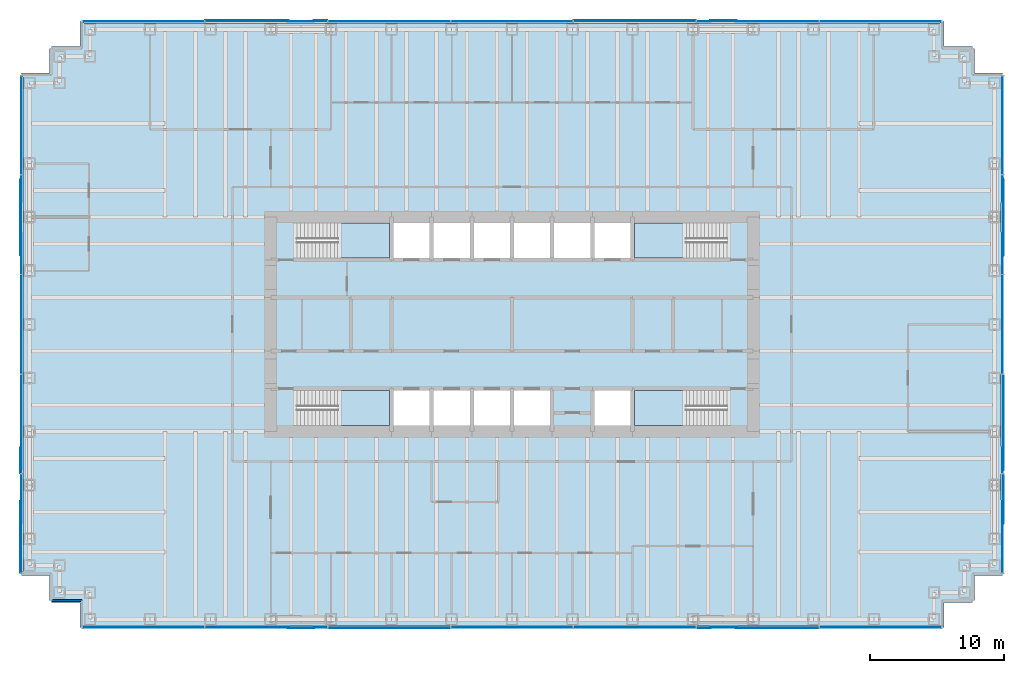
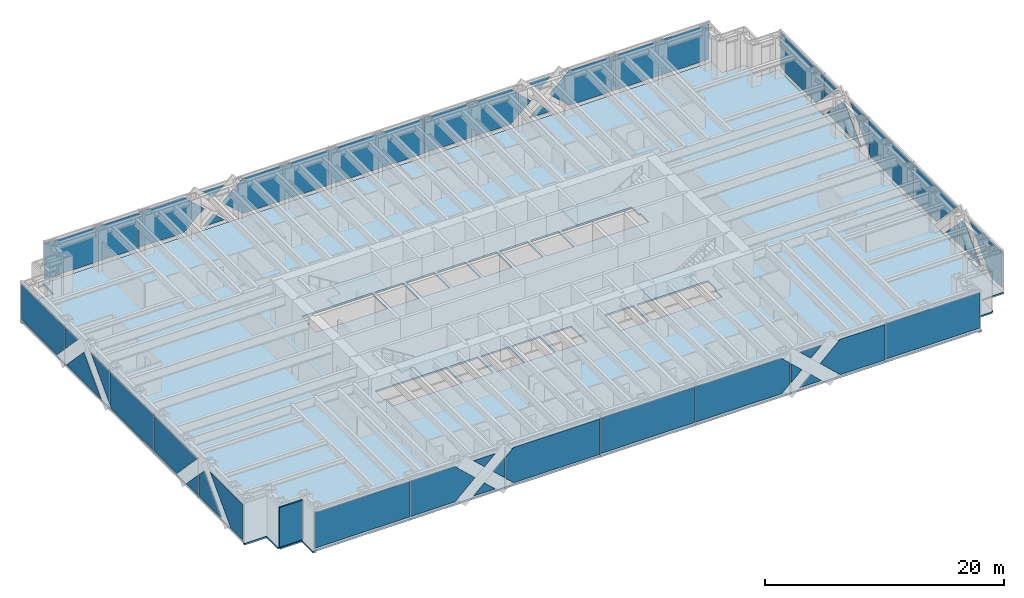
# One storey, part 10 of 15: 44 plates, 5 slabs, 1 wall, 8 elements without a shape of their own.
"""IFC4 building model written with IfcOpenShell, lengths in metres."""

from ifc_helpers import new_model, si_unit, direction, frame, frame_2d, origin, origin_2d, place, context, subcontext, project, spatial, polyline, rectangle, outline, extrude, material, layer, layer_set, type_object, element, aggregate, save


model = new_model("IFC4")

# Units and contexts
model_context = context("Model", 3, precision=1e-05, world=origin(), true_north=direction((0.0, 1.0)))
body_context = subcontext(model_context, "Body", "Model", "MODEL_VIEW")
ifc_project = project(units=[si_unit("LENGTHUNIT", "METRE"), si_unit("AREAUNIT", "SQUARE_METRE"), si_unit("VOLUMEUNIT", "CUBIC_METRE"), si_unit("PLANEANGLEUNIT", "RADIAN"), si_unit("MASSUNIT", "GRAM", prefix="KILO")], contexts=[model_context])

# Site, building, storey
site_placement = place(None, origin())
site = spatial("IfcSite", under=ifc_project, at=site_placement, CompositionType="ELEMENT")
building_placement = place(site_placement, origin())
building = spatial("IfcBuilding", under=site, at=building_placement, Name="Rheinbord Bourse Tower", CompositionType="ELEMENT")
storey_placement = place(building_placement, frame((0.0, 0.0, 108.89990234375)))
storey = spatial("IfcBuildingStorey", under=building, at=storey_placement, Name="L23", CompositionType="ELEMENT", Elevation=108.89990234375)

# Slab
ifc_material_1 = material(Name="Concrete C30/37", Category="concrete")
ifc_layer_1 = layer(ifc_material_1, 0.159912109375)
ifc_layer_set_1 = layer_set([ifc_layer_1], Name="COMPOSITE FLOOR SLAB 160")
slab_type_1 = type_object("IfcSlabType", Name="COMPOSITE FLOOR SLAB 160", PredefinedType="FLOOR", material=ifc_layer_set_1)
slab_1_placement = place(storey_placement, frame((0.0, 0.0, -0.159912109375)))
element("IfcSlab", 1, at=slab_1_placement, inside=storey, type_object=slab_type_1, Name="Floor slab L23", PredefinedType="FLOOR", context=body_context, shape_type="SweptSolid", body=[
    extrude(outline(polyline([(1.64990234375, 3.39990234375), (1.5, 3.39990234375), (1.5, 5.25), (-0.60009765625, 5.25), (-0.60009765625, 5.550048828125), (-0.5, 5.550048828125), (-0.5, 42.449951171875), (-0.60009765625, 42.449951171875), (-0.60009765625, 42.75), (1.5, 42.75), (1.5, 44.60009765625), (1.64990234375, 44.60009765625), (1.64990234375, 44.75), (3.75, 44.75), (3.75, 46.60009765625), (4.050048828125, 46.60009765625), (4.050048828125, 46.5), (67.949951171875, 46.5), (67.949951171875, 46.60009765625), (68.25, 46.60009765625), (68.25, 44.75), (70.35009765625, 44.75), (70.35009765625, 44.60009765625), (70.5, 44.60009765625), (70.5, 42.75), (72.60009765625, 42.75), (72.60009765625, 42.449951171875), (72.5, 42.449951171875), (72.5, 5.550048828125), (72.60009765625, 5.550048828125), (72.60009765625, 5.25), (70.5, 5.25), (70.5, 3.39990234375), (70.35009765625, 3.39990234375), (70.35009765625, 3.25), (68.25, 3.25), (68.25, 1.39990234375), (67.949951171875, 1.39990234375), (67.949951171875, 1.5), (4.050048828125, 1.5), (4.050048828125, 1.39990234375), (3.75, 1.39990234375), (3.75, 3.25), (1.64990234375, 3.25), (1.64990234375, 3.39990234375)]), holes=[polyline([(19.949951171875, 19.050048828125), (26.85009765625, 19.050048828125), (26.85009765625, 16.449951171875), (20.10009765625, 16.449951171875), (20.10009765625, 17.64990234375), (19.949951171875, 17.64990234375), (19.949951171875, 19.050048828125)]), polyline([(26.85009765625, 31.550048828125), (26.85009765625, 28.949951171875), (19.949951171875, 28.949951171875), (19.949951171875, 30.35009765625), (20.10009765625, 30.35009765625), (20.10009765625, 31.550048828125), (26.85009765625, 31.550048828125)]), polyline([(45.14990234375, 16.449951171875), (45.14990234375, 19.050048828125), (52.050048828125, 19.050048828125), (52.050048828125, 17.64990234375), (51.89990234375, 17.64990234375), (51.89990234375, 16.449951171875), (45.14990234375, 16.449951171875)]), polyline([(52.050048828125, 28.949951171875), (45.14990234375, 28.949951171875), (45.14990234375, 31.550048828125), (51.89990234375, 31.550048828125), (51.89990234375, 30.35009765625), (52.050048828125, 30.35009765625), (52.050048828125, 28.949951171875)]), polyline([(27.14990234375, 16.449951171875), (27.14990234375, 19.050048828125), (29.85009765625, 19.050048828125), (29.85009765625, 16.449951171875), (27.14990234375, 16.449951171875)]), polyline([(27.14990234375, 28.949951171875), (27.14990234375, 31.550048828125), (29.85009765625, 31.550048828125), (29.85009765625, 28.949951171875), (27.14990234375, 28.949951171875)]), polyline([(30.14990234375, 16.449951171875), (30.14990234375, 19.050048828125), (32.85009765625, 19.050048828125), (32.85009765625, 16.449951171875), (30.14990234375, 16.449951171875)]), polyline([(30.14990234375, 28.949951171875), (30.14990234375, 31.550048828125), (32.85009765625, 31.550048828125), (32.85009765625, 28.949951171875), (30.14990234375, 28.949951171875)]), polyline([(33.14990234375, 16.449951171875), (33.14990234375, 19.050048828125), (35.85009765625, 19.050048828125), (35.85009765625, 16.449951171875), (33.14990234375, 16.449951171875)]), polyline([(33.14990234375, 28.949951171875), (33.14990234375, 31.550048828125), (35.85009765625, 31.550048828125), (35.85009765625, 28.949951171875), (33.14990234375, 28.949951171875)]), polyline([(36.14990234375, 16.449951171875), (36.14990234375, 19.050048828125), (38.85009765625, 19.050048828125), (38.85009765625, 16.449951171875), (36.14990234375, 16.449951171875)]), polyline([(36.14990234375, 28.949951171875), (36.14990234375, 31.550048828125), (38.85009765625, 31.550048828125), (38.85009765625, 28.949951171875), (36.14990234375, 28.949951171875)]), polyline([(39.14990234375, 28.949951171875), (39.14990234375, 31.550048828125), (41.85009765625, 31.550048828125), (41.85009765625, 28.949951171875), (39.14990234375, 28.949951171875)]), polyline([(42.14990234375, 16.449951171875), (42.14990234375, 19.050048828125), (44.85009765625, 19.050048828125), (44.85009765625, 16.449951171875), (42.14990234375, 16.449951171875)]), polyline([(42.14990234375, 28.949951171875), (42.14990234375, 31.550048828125), (44.85009765625, 31.550048828125), (44.85009765625, 28.949951171875), (42.14990234375, 28.949951171875)])]), origin(), (0.0, 0.0, 1.0), 0.159912109375),
])

# Curtain wall, plates
ifc_material_2 = material(Name="Dark glass and black aluminium", Category="aluminium")
curtain_wall_type = type_object("IfcCurtainWallType", Name="CW2 DARK GLASS CURTAIN WALL", PredefinedType="USERDEFINED", material=ifc_material_2)
curtain_wall_1_placement = place(storey_placement, origin())
curtain_wall_1 = element("IfcCurtainWall", 2, at=curtain_wall_1_placement, inside=storey, type_object=curtain_wall_type, Name="Curtain wall CW2 S L23", ObjectType="UNITISED CURTAIN WALL", PredefinedType="USERDEFINED")
ifc_material_3 = material(Name="Dark tinted triple insulating glass", Category="glass")
ifc_layer_2 = layer(ifc_material_3, 0.050048828125)
ifc_layer_set_2 = layer_set([ifc_layer_2], Name="CW2 DARK GLASS PANEL")
plate_type = type_object("IfcPlateType", Name="CW2 DARK GLASS PANEL", PredefinedType="CURTAIN_PANEL", material=ifc_layer_set_2)
plate_1_placement = place(storey_placement, frame((8.503173828125, 1.39990234375, 0.300048828125), z_axis=(0.0, 0.0, 1.0), x_axis=(1.0, 0.0, 0.0)))
plate_1 = element("IfcPlate", 3, at=plate_1_placement, type_object=plate_type, Name="CW2 panel 1.1", PredefinedType="CURTAIN_PANEL", context=body_context, shape_type="SweptSolid", body=[
    extrude(rectangle(XDim=9.06640625, YDim=0.050048828125, at=origin_2d()), origin(), (0.0, 0.0, 1.0), 3.60009765625),
])
plate_2_placement = place(storey_placement, frame((36.0, 1.39990234375, 0.300048828125), z_axis=(0.0, 0.0, 1.0), x_axis=(1.0, 0.0, 0.0)))
plate_2 = element("IfcPlate", 4, at=plate_2_placement, type_object=plate_type, Name="CW2 panel 4.1", PredefinedType="CURTAIN_PANEL", context=body_context, shape_type="SweptSolid", body=[
    extrude(rectangle(XDim=9.101318359375, YDim=0.050048828125, at=origin_2d()), origin(), (0.0, 0.0, 1.0), 3.60009765625),
])
plate_3_placement = place(storey_placement, frame((63.496826171875, 1.39990234375, 0.300048828125), z_axis=(0.0, 0.0, 1.0), x_axis=(1.0, 0.0, 0.0)))
plate_3 = element("IfcPlate", 5, at=plate_3_placement, type_object=plate_type, Name="CW2 panel 7.1", PredefinedType="CURTAIN_PANEL", context=body_context, shape_type="SweptSolid", body=[
    extrude(rectangle(XDim=9.06640625, YDim=0.050048828125, at=origin_2d()), origin(), (0.0, 0.0, 1.0), 3.60009765625),
])
plate_4_placement = place(storey_placement, frame((13.10595703125, 1.375, 0.300048828125), z_axis=(0.0, 1.0, 0.0), x_axis=(0.0, 0.0, 1.0)))
plate_4 = element("IfcPlate", 6, at=plate_4_placement, type_object=plate_type, Name="CW2 glass facet 1", PredefinedType="CURTAIN_PANEL", context=body_context, shape_type="SweptSolid", body=[
    extrude(outline(polyline([(0.0, 0.0), (3.60009765625, 0.0), (3.60009765625, 4.3291015625), (1.800048828125, 6.257080078125), (0.0, 4.3291015625), (0.0, 0.0)])), origin(), (0.0, 0.0, 1.0), 0.050048828125),
])
plate_5_placement = place(storey_placement, frame((19.2080078125, 1.31982421875, 0.300048828125), z_axis=(0.0, 1.0, 0.0), x_axis=(0.731180589899, 0.0, 0.682183952431)))
plate_5 = element("IfcPlate", 7, at=plate_5_placement, type_object=plate_type, Name="CW2 glass facet 2", PredefinedType="CURTAIN_PANEL", context=body_context, shape_type="SweptSolid", body=[
    extrude(outline(polyline([(0.0, 0.0), (1.425048828125, 0.0), (1.523681640625, 1.421630859375), (0.0, 0.0)])), origin(), (0.0, 0.0, 1.0), 0.050048828125),
])
plate_6_placement = place(storey_placement, frame((21.2919921875, 1.31982421875, 3.900146484375), z_axis=(0.0, 1.0, 0.0), x_axis=(-0.731180589899, 0.0, -0.682183952431)))
plate_6 = element("IfcPlate", 8, at=plate_6_placement, type_object=plate_type, Name="CW2 glass facet 3", PredefinedType="CURTAIN_PANEL", context=body_context, shape_type="SweptSolid", body=[
    extrude(outline(polyline([(0.0, 0.0), (1.425048828125, 0.0), (1.523681640625, 1.421630859375), (0.0, 0.0)])), origin(), (0.0, 0.0, 1.0), 0.050048828125),
])
plate_7_placement = place(storey_placement, frame((22.2080078125, 1.375, 1.10009765625), z_axis=(0.0, 1.0, 0.0), x_axis=(-0.730933363576, 0.0, 0.682448839117)))
plate_7 = element("IfcPlate", 9, at=plate_7_placement, type_object=plate_type, Name="CW2 glass facet 4", PredefinedType="CURTAIN_PANEL", context=body_context, shape_type="SweptSolid", body=[
    extrude(outline(polyline([(0.0, 0.0), (1.46533203125, 0.0), (1.364990234375, 1.4619140625), (0.0, 0.0)])), origin(), (0.0, 0.0, 1.0), 0.050048828125),
])
plate_8_placement = place(storey_placement, frame((31.37890625, 1.31982421875, 3.900146484375), z_axis=(0.0, 1.0, 0.0), x_axis=(0.0, 0.0, -1.0)))
plate_8 = element("IfcPlate", 10, at=plate_8_placement, type_object=plate_type, Name="CW2 glass facet 1", PredefinedType="CURTAIN_PANEL", context=body_context, shape_type="SweptSolid", body=[
    extrude(outline(polyline([(0.0, 0.0), (3.60009765625, 0.0), (3.60009765625, 8.31396484375), (2.864990234375, 9.100830078125), (0.735107421875, 9.100830078125), (0.0, 8.31396484375), (0.0, 0.0)])), origin(), (0.0, 0.0, 1.0), 0.050048828125),
])
plate_9_placement = place(storey_placement, frame((40.62109375, 1.375, 0.300048828125), z_axis=(0.0, 1.0, 0.0), x_axis=(0.0, 0.0, 1.0)))
plate_9 = element("IfcPlate", 11, at=plate_9_placement, type_object=plate_type, Name="CW2 glass facet 1", PredefinedType="CURTAIN_PANEL", context=body_context, shape_type="SweptSolid", body=[
    extrude(outline(polyline([(0.0, 0.0), (3.60009765625, 0.0), (3.60009765625, 8.31396484375), (2.864990234375, 9.100830078125), (0.735107421875, 9.100830078125), (0.0, 8.31396484375), (0.0, 0.0)])), origin(), (0.0, 0.0, 1.0), 0.050048828125),
])
plate_10_placement = place(storey_placement, frame((49.7919921875, 1.31982421875, 3.10009765625), z_axis=(0.0, 1.0, 0.0), x_axis=(0.730933363576, 0.0, -0.682448839117)))
plate_10 = element("IfcPlate", 12, at=plate_10_placement, type_object=plate_type, Name="CW2 glass facet 1", PredefinedType="CURTAIN_PANEL", context=body_context, shape_type="SweptSolid", body=[
    extrude(outline(polyline([(0.0, 0.0), (1.46533203125, 0.0), (1.364990234375, 1.4619140625), (0.0, 0.0)])), origin(), (0.0, 0.0, 1.0), 0.050048828125),
])
plate_11_placement = place(storey_placement, frame((50.7080078125, 1.375, 0.300048828125), z_axis=(0.0, 1.0, 0.0), x_axis=(0.731180589899, 0.0, 0.682183952431)))
plate_11 = element("IfcPlate", 13, at=plate_11_placement, type_object=plate_type, Name="CW2 glass facet 2", PredefinedType="CURTAIN_PANEL", context=body_context, shape_type="SweptSolid", body=[
    extrude(outline(polyline([(0.0, 0.0), (1.425048828125, 0.0), (1.523681640625, 1.421630859375), (0.0, 0.0)])), origin(), (0.0, 0.0, 1.0), 0.050048828125),
])
plate_12_placement = place(storey_placement, frame((52.7919921875, 1.375, 3.900146484375), z_axis=(0.0, 1.0, 0.0), x_axis=(-0.731180589899, 0.0, -0.682183952431)))
plate_12 = element("IfcPlate", 14, at=plate_12_placement, type_object=plate_type, Name="CW2 glass facet 3", PredefinedType="CURTAIN_PANEL", context=body_context, shape_type="SweptSolid", body=[
    extrude(outline(polyline([(0.0, 0.0), (1.425048828125, 0.0), (1.523681640625, 1.421630859375), (0.0, 0.0)])), origin(), (0.0, 0.0, 1.0), 0.050048828125),
])
plate_13_placement = place(storey_placement, frame((58.89404296875, 1.31982421875, 3.900146484375), z_axis=(0.0, 1.0, 0.0), x_axis=(0.0, 0.0, -1.0)))
plate_13 = element("IfcPlate", 15, at=plate_13_placement, type_object=plate_type, Name="CW2 glass facet 4", PredefinedType="CURTAIN_PANEL", context=body_context, shape_type="SweptSolid", body=[
    extrude(outline(polyline([(0.0, 0.0), (3.60009765625, 0.0), (3.60009765625, 4.3291015625), (1.800048828125, 6.257080078125), (0.0, 4.3291015625), (0.0, 0.0)])), origin(), (0.0, 0.0, 1.0), 0.050048828125),
])
aggregate(curtain_wall_1, [plate_1, plate_2, plate_3, plate_4, plate_5, plate_6, plate_7, plate_8, plate_9, plate_10, plate_11, plate_12, plate_13])

curtain_wall_2_placement = place(storey_placement, origin())
curtain_wall_2 = element("IfcCurtainWall", 16, at=curtain_wall_2_placement, inside=storey, type_object=curtain_wall_type, Name="Curtain wall CW2 E L23", ObjectType="UNITISED CURTAIN WALL", PredefinedType="USERDEFINED")
plate_14_placement = place(storey_placement, frame((72.625, 5.469970703125, 0.300048828125), z_axis=(-1.0, 0.0, 0.0), x_axis=(0.0, 0.0, 1.0)))
plate_14 = element("IfcPlate", 17, at=plate_14_placement, type_object=plate_type, Name="CW2 glass facet 1", PredefinedType="CURTAIN_PANEL", context=body_context, shape_type="SweptSolid", body=[
    extrude(outline(polyline([(0.0, 0.0), (3.60009765625, 0.0), (3.60009765625, 5.408935546875), (0.0, 1.97998046875), (0.0, 0.0)])), origin(), (0.0, 0.0, 1.0), 0.050048828125),
])
plate_15_placement = place(storey_placement, frame((72.68017578125, 12.804931640625, 0.300048828125), z_axis=(-1.0, 0.0, 0.0), x_axis=(0.0, -1.0, 0.0)))
plate_15 = element("IfcPlate", 18, at=plate_15_placement, type_object=plate_type, Name="CW2 glass facet 2", PredefinedType="CURTAIN_PANEL", context=body_context, shape_type="SweptSolid", body=[
    extrude(outline(polyline([(0.0, 0.0), (3.683837890625, 0.0), (0.804931640625, 3.02294921875), (0.0, 2.177978515625), (0.0, 0.0)])), origin(), (0.0, 0.0, 1.0), 0.050048828125),
])
plate_16_placement = place(storey_placement, frame((72.625, 12.875, 0.300048828125), z_axis=(-1.0, 0.0, 0.0), x_axis=(0.0, 0.0, 1.0)))
plate_16 = element("IfcPlate", 19, at=plate_16_placement, type_object=plate_type, Name="CW2 glass facet 1", PredefinedType="CURTAIN_PANEL", context=body_context, shape_type="SweptSolid", body=[
    extrude(outline(polyline([(0.0, 0.0), (2.10400390625, 0.0), (0.0, 2.00390625), (0.0, 0.0)])), origin(), (0.0, 0.0, 1.0), 0.050048828125),
])
plate_17_placement = place(storey_placement, frame((72.68017578125, 20.2451171875, 3.900146484375), z_axis=(-1.0, 0.0, 0.0), x_axis=(0.0, 0.0, -1.0)))
plate_17 = element("IfcPlate", 20, at=plate_17_placement, type_object=plate_type, Name="CW2 glass facet 2", PredefinedType="CURTAIN_PANEL", context=body_context, shape_type="SweptSolid", body=[
    extrude(outline(polyline([(0.0, 0.0), (3.60009765625, 0.0), (3.60009765625, 3.695068359375), (0.0, 7.1240234375), (0.0, 0.0)])), origin(), (0.0, 0.0, 1.0), 0.050048828125),
])
plate_18_placement = place(storey_placement, frame((72.625, 20.31494140625, 0.300048828125), z_axis=(-1.0, 0.0, 0.0), x_axis=(0.0, 0.0, 1.0)))
plate_18 = element("IfcPlate", 21, at=plate_18_placement, type_object=plate_type, Name="CW2 glass facet 1", PredefinedType="CURTAIN_PANEL", context=body_context, shape_type="SweptSolid", body=[
    extrude(outline(polyline([(0.0, 0.0), (3.60009765625, 0.0), (3.60009765625, 7.3701171875), (0.2470703125, 7.3701171875), (0.0, 7.135009765625), (0.0, 0.0)])), origin(), (0.0, 0.0, 1.0), 0.050048828125),
])
plate_19_placement = place(storey_placement, frame((72.625, 27.7548828125, 3.900146484375), z_axis=(-1.0, 0.0, 0.0), x_axis=(0.0, 1.0, 0.0)))
plate_19 = element("IfcPlate", 22, at=plate_19_placement, type_object=plate_type, Name="CW2 glass facet 1", PredefinedType="CURTAIN_PANEL", context=body_context, shape_type="SweptSolid", body=[
    extrude(outline(polyline([(0.0, 0.0), (3.1240234375, 0.0), (0.0, 3.280029296875), (0.0, 0.0)])), origin(), (0.0, 0.0, 1.0), 0.050048828125),
])
plate_20_placement = place(storey_placement, frame((72.68017578125, 29.12109375, 0.300048828125), z_axis=(-1.0, 0.0, 0.0), x_axis=(0.0, 0.68964348943, 0.724149057506)))
plate_20 = element("IfcPlate", 23, at=plate_20_placement, type_object=plate_type, Name="CW2 glass facet 2", PredefinedType="CURTAIN_PANEL", context=body_context, shape_type="SweptSolid", body=[
    extrude(outline(polyline([(0.0, 0.0), (4.174560546875, 0.0), (3.970947265625, 4.16943359375), (0.0, 0.0)])), origin(), (0.0, 0.0, 1.0), 0.050048828125),
])
plate_21_placement = place(storey_placement, frame((72.625, 35.125, 3.900146484375), z_axis=(-1.0, 0.0, 0.0), x_axis=(0.0, 0.0, -1.0)))
plate_21 = element("IfcPlate", 24, at=plate_21_placement, type_object=plate_type, Name="CW2 glass facet 3", PredefinedType="CURTAIN_PANEL", context=body_context, shape_type="SweptSolid", body=[
    extrude(outline(polyline([(0.0, 0.0), (2.10400390625, 0.0), (0.0, 2.00390625), (0.0, 0.0)])), origin(), (0.0, 0.0, 1.0), 0.050048828125),
])
plate_22_placement = place(storey_placement, frame((72.625, 35.195068359375, 3.900146484375), z_axis=(-1.0, 0.0, 0.0), x_axis=(0.0, 1.0, 0.0)))
plate_22 = element("IfcPlate", 25, at=plate_22_placement, type_object=plate_type, Name="CW2 glass facet 1", PredefinedType="CURTAIN_PANEL", context=body_context, shape_type="SweptSolid", body=[
    extrude(outline(polyline([(0.0, 0.0), (7.3349609375, 0.0), (7.3349609375, 3.60009765625), (1.35498046875, 3.60009765625), (0.0, 2.177001953125), (0.0, 0.0)])), origin(), (0.0, 0.0, 1.0), 0.050048828125),
])
aggregate(curtain_wall_2, [plate_14, plate_15, plate_16, plate_17, plate_18, plate_19, plate_20, plate_21, plate_22])

curtain_wall_3_placement = place(storey_placement, origin())
curtain_wall_3 = element("IfcCurtainWall", 26, at=curtain_wall_3_placement, inside=storey, type_object=curtain_wall_type, Name="Curtain wall CW2 N L23", ObjectType="UNITISED CURTAIN WALL", PredefinedType="USERDEFINED")
plate_23_placement = place(storey_placement, frame((63.496826171875, 46.60009765625, 0.300048828125), z_axis=(0.0, 0.0, 1.0), x_axis=(-1.0, 0.0, 0.0)))
plate_23 = element("IfcPlate", 27, at=plate_23_placement, type_object=plate_type, Name="CW2 panel 1.1", PredefinedType="CURTAIN_PANEL", context=body_context, shape_type="SweptSolid", body=[
    extrude(rectangle(XDim=9.06640625, YDim=0.050048828125, at=origin_2d()), origin(), (0.0, 0.0, 1.0), 3.60009765625),
])
plate_24_placement = place(storey_placement, frame((36.0, 46.60009765625, 0.300048828125), z_axis=(0.0, 0.0, 1.0), x_axis=(-1.0, 0.0, 0.0)))
plate_24 = element("IfcPlate", 28, at=plate_24_placement, type_object=plate_type, Name="CW2 panel 4.1", PredefinedType="CURTAIN_PANEL", context=body_context, shape_type="SweptSolid", body=[
    extrude(rectangle(XDim=9.101318359375, YDim=0.050048828125, at=origin_2d()), origin(), (0.0, 0.0, 1.0), 3.60009765625),
])
plate_25_placement = place(storey_placement, frame((8.503173828125, 46.60009765625, 0.300048828125), z_axis=(0.0, 0.0, 1.0), x_axis=(-1.0, 0.0, 0.0)))
plate_25 = element("IfcPlate", 29, at=plate_25_placement, type_object=plate_type, Name="CW2 panel 7.1", PredefinedType="CURTAIN_PANEL", context=body_context, shape_type="SweptSolid", body=[
    extrude(rectangle(XDim=9.06640625, YDim=0.050048828125, at=origin_2d()), origin(), (0.0, 0.0, 1.0), 3.60009765625),
])
plate_26_placement = place(storey_placement, frame((58.89404296875, 46.625, 0.300048828125), z_axis=(0.0, -1.0, 0.0), x_axis=(0.0, 0.0, 1.0)))
plate_26 = element("IfcPlate", 30, at=plate_26_placement, type_object=plate_type, Name="CW2 glass facet 1", PredefinedType="CURTAIN_PANEL", context=body_context, shape_type="SweptSolid", body=[
    extrude(outline(polyline([(0.0, 0.0), (3.60009765625, 0.0), (3.60009765625, 4.3291015625), (1.800048828125, 6.257080078125), (0.0, 4.3291015625), (0.0, 0.0)])), origin(), (0.0, 0.0, 1.0), 0.050048828125),
])
plate_27_placement = place(storey_placement, frame((52.7919921875, 46.68017578125, 0.300048828125), z_axis=(0.0, -1.0, 0.0), x_axis=(-0.731180589899, 0.0, 0.682183952431)))
plate_27 = element("IfcPlate", 31, at=plate_27_placement, type_object=plate_type, Name="CW2 glass facet 2", PredefinedType="CURTAIN_PANEL", context=body_context, shape_type="SweptSolid", body=[
    extrude(outline(polyline([(0.0, 0.0), (1.425048828125, 0.0), (1.523681640625, 1.421630859375), (0.0, 0.0)])), origin(), (0.0, 0.0, 1.0), 0.050048828125),
])
plate_28_placement = place(storey_placement, frame((50.7080078125, 46.68017578125, 3.900146484375), z_axis=(0.0, -1.0, 0.0), x_axis=(0.731180589899, 0.0, -0.682183952431)))
plate_28 = element("IfcPlate", 32, at=plate_28_placement, type_object=plate_type, Name="CW2 glass facet 3", PredefinedType="CURTAIN_PANEL", context=body_context, shape_type="SweptSolid", body=[
    extrude(outline(polyline([(0.0, 0.0), (1.425048828125, 0.0), (1.523681640625, 1.421630859375), (0.0, 0.0)])), origin(), (0.0, 0.0, 1.0), 0.050048828125),
])
plate_29_placement = place(storey_placement, frame((49.7919921875, 46.625, 1.10009765625), z_axis=(0.0, -1.0, 0.0), x_axis=(0.730933363576, 0.0, 0.682448839117)))
plate_29 = element("IfcPlate", 33, at=plate_29_placement, type_object=plate_type, Name="CW2 glass facet 4", PredefinedType="CURTAIN_PANEL", context=body_context, shape_type="SweptSolid", body=[
    extrude(outline(polyline([(0.0, 0.0), (1.46533203125, 0.0), (1.364990234375, 1.4619140625), (0.0, 0.0)])), origin(), (0.0, 0.0, 1.0), 0.050048828125),
])
plate_30_placement = place(storey_placement, frame((40.62109375, 46.68017578125, 3.900146484375), z_axis=(0.0, -1.0, 0.0), x_axis=(0.0, 0.0, -1.0)))
plate_30 = element("IfcPlate", 34, at=plate_30_placement, type_object=plate_type, Name="CW2 glass facet 1", PredefinedType="CURTAIN_PANEL", context=body_context, shape_type="SweptSolid", body=[
    extrude(outline(polyline([(0.0, 0.0), (3.60009765625, 0.0), (3.60009765625, 8.31396484375), (2.864990234375, 9.100830078125), (0.735107421875, 9.100830078125), (0.0, 8.31396484375), (0.0, 0.0)])), origin(), (0.0, 0.0, 1.0), 0.050048828125),
])
plate_31_placement = place(storey_placement, frame((31.37890625, 46.625, 0.300048828125), z_axis=(0.0, -1.0, 0.0), x_axis=(0.0, 0.0, 1.0)))
plate_31 = element("IfcPlate", 35, at=plate_31_placement, type_object=plate_type, Name="CW2 glass facet 1", PredefinedType="CURTAIN_PANEL", context=body_context, shape_type="SweptSolid", body=[
    extrude(outline(polyline([(0.0, 0.0), (3.60009765625, 0.0), (3.60009765625, 8.31396484375), (2.864990234375, 9.100830078125), (0.735107421875, 9.100830078125), (0.0, 8.31396484375), (0.0, 0.0)])), origin(), (0.0, 0.0, 1.0), 0.050048828125),
])
plate_32_placement = place(storey_placement, frame((22.2080078125, 46.68017578125, 3.10009765625), z_axis=(0.0, -1.0, 0.0), x_axis=(-0.730933363576, 0.0, -0.682448839117)))
plate_32 = element("IfcPlate", 36, at=plate_32_placement, type_object=plate_type, Name="CW2 glass facet 1", PredefinedType="CURTAIN_PANEL", context=body_context, shape_type="SweptSolid", body=[
    extrude(outline(polyline([(0.0, 0.0), (1.46533203125, 0.0), (1.364990234375, 1.4619140625), (0.0, 0.0)])), origin(), (0.0, 0.0, 1.0), 0.050048828125),
])
plate_33_placement = place(storey_placement, frame((21.2919921875, 46.625, 0.300048828125), z_axis=(0.0, -1.0, 0.0), x_axis=(-0.731180589899, 0.0, 0.682183952431)))
plate_33 = element("IfcPlate", 37, at=plate_33_placement, type_object=plate_type, Name="CW2 glass facet 2", PredefinedType="CURTAIN_PANEL", context=body_context, shape_type="SweptSolid", body=[
    extrude(outline(polyline([(0.0, 0.0), (1.425048828125, 0.0), (1.523681640625, 1.421630859375), (0.0, 0.0)])), origin(), (0.0, 0.0, 1.0), 0.050048828125),
])
plate_34_placement = place(storey_placement, frame((19.2080078125, 46.625, 3.900146484375), z_axis=(0.0, -1.0, 0.0), x_axis=(0.731180589899, 0.0, -0.682183952431)))
plate_34 = element("IfcPlate", 38, at=plate_34_placement, type_object=plate_type, Name="CW2 glass facet 3", PredefinedType="CURTAIN_PANEL", context=body_context, shape_type="SweptSolid", body=[
    extrude(outline(polyline([(0.0, 0.0), (1.425048828125, 0.0), (1.523681640625, 1.421630859375), (0.0, 0.0)])), origin(), (0.0, 0.0, 1.0), 0.050048828125),
])
plate_35_placement = place(storey_placement, frame((13.10595703125, 46.68017578125, 3.900146484375), z_axis=(0.0, -1.0, 0.0), x_axis=(0.0, 0.0, -1.0)))
plate_35 = element("IfcPlate", 39, at=plate_35_placement, type_object=plate_type, Name="CW2 glass facet 4", PredefinedType="CURTAIN_PANEL", context=body_context, shape_type="SweptSolid", body=[
    extrude(outline(polyline([(0.0, 0.0), (3.60009765625, 0.0), (3.60009765625, 4.3291015625), (1.800048828125, 6.257080078125), (0.0, 4.3291015625), (0.0, 0.0)])), origin(), (0.0, 0.0, 1.0), 0.050048828125),
])
aggregate(curtain_wall_3, [plate_23, plate_24, plate_25, plate_26, plate_27, plate_28, plate_29, plate_30, plate_31, plate_32, plate_33, plate_34, plate_35])

curtain_wall_4_placement = place(storey_placement, origin())
curtain_wall_4 = element("IfcCurtainWall", 40, at=curtain_wall_4_placement, inside=storey, type_object=curtain_wall_type, Name="Curtain wall CW2 W L23", ObjectType="UNITISED CURTAIN WALL", PredefinedType="USERDEFINED")
plate_36_placement = place(storey_placement, frame((-0.625, 42.530029296875, 0.300048828125), z_axis=(1.0, 0.0, 0.0), x_axis=(0.0, 0.0, 1.0)))
plate_36 = element("IfcPlate", 41, at=plate_36_placement, type_object=plate_type, Name="CW2 glass facet 1", PredefinedType="CURTAIN_PANEL", context=body_context, shape_type="SweptSolid", body=[
    extrude(outline(polyline([(0.0, 0.0), (3.60009765625, 0.0), (3.60009765625, 7.3349609375), (1.422119140625, 7.3349609375), (0.0, 5.97998046875), (0.0, 0.0)])), origin(), (0.0, 0.0, 1.0), 0.050048828125),
])
plate_37_placement = place(storey_placement, frame((-0.625, 35.125, 3.900146484375), z_axis=(1.0, 0.0, 0.0), x_axis=(0.0, -1.0, 0.0)))
plate_37 = element("IfcPlate", 42, at=plate_37_placement, type_object=plate_type, Name="CW2 glass facet 1", PredefinedType="CURTAIN_PANEL", context=body_context, shape_type="SweptSolid", body=[
    extrude(outline(polyline([(0.0, 0.0), (2.00390625, 0.0), (0.0, 2.10400390625), (0.0, 0.0)])), origin(), (0.0, 0.0, 1.0), 0.050048828125),
])
plate_38_placement = place(storey_placement, frame((-0.68017578125, 34.87890625, 0.300048828125), z_axis=(1.0, 0.0, 0.0), x_axis=(0.0, -0.68964348943, 0.724149057506)))
plate_38 = element("IfcPlate", 43, at=plate_38_placement, type_object=plate_type, Name="CW2 glass facet 2", PredefinedType="CURTAIN_PANEL", context=body_context, shape_type="SweptSolid", body=[
    extrude(outline(polyline([(0.0, 0.0), (4.174560546875, 0.0), (3.970947265625, 4.16943359375), (0.0, 0.0)])), origin(), (0.0, 0.0, 1.0), 0.050048828125),
])
plate_39_placement = place(storey_placement, frame((-0.625, 27.7548828125, 3.900146484375), z_axis=(1.0, 0.0, 0.0), x_axis=(0.0, 0.0, -1.0)))
plate_39 = element("IfcPlate", 44, at=plate_39_placement, type_object=plate_type, Name="CW2 glass facet 3", PredefinedType="CURTAIN_PANEL", context=body_context, shape_type="SweptSolid", body=[
    extrude(outline(polyline([(0.0, 0.0), (3.280029296875, 0.0), (0.0, 3.1240234375), (0.0, 0.0)])), origin(), (0.0, 0.0, 1.0), 0.050048828125),
])
plate_40_placement = place(storey_placement, frame((-0.625, 27.68505859375, 3.900146484375), z_axis=(1.0, 0.0, 0.0), x_axis=(0.0, -1.0, 0.0)))
plate_40 = element("IfcPlate", 45, at=plate_40_placement, type_object=plate_type, Name="CW2 glass facet 1", PredefinedType="CURTAIN_PANEL", context=body_context, shape_type="SweptSolid", body=[
    extrude(outline(polyline([(0.0, 0.0), (7.3701171875, 0.0), (7.3701171875, 3.60009765625), (0.235107421875, 3.60009765625), (0.0, 3.35302734375), (0.0, 0.0)])), origin(), (0.0, 0.0, 1.0), 0.050048828125),
])
plate_41_placement = place(storey_placement, frame((-0.625, 20.2451171875, 0.300048828125), z_axis=(1.0, 0.0, 0.0), x_axis=(0.0, 0.0, 1.0)))
plate_41 = element("IfcPlate", 46, at=plate_41_placement, type_object=plate_type, Name="CW2 glass facet 1", PredefinedType="CURTAIN_PANEL", context=body_context, shape_type="SweptSolid", body=[
    extrude(outline(polyline([(0.0, 0.0), (3.60009765625, 0.0), (3.60009765625, 7.1240234375), (0.0, 3.695068359375), (0.0, 0.0)])), origin(), (0.0, 0.0, 1.0), 0.050048828125),
])
plate_42_placement = place(storey_placement, frame((-0.68017578125, 12.875, 0.300048828125), z_axis=(1.0, 0.0, 0.0), x_axis=(0.0, 1.0, 0.0)))
plate_42 = element("IfcPlate", 47, at=plate_42_placement, type_object=plate_type, Name="CW2 glass facet 2", PredefinedType="CURTAIN_PANEL", context=body_context, shape_type="SweptSolid", body=[
    extrude(outline(polyline([(0.0, 0.0), (2.00390625, 0.0), (0.0, 2.10400390625), (0.0, 0.0)])), origin(), (0.0, 0.0, 1.0), 0.050048828125),
])
plate_43_placement = place(storey_placement, frame((-0.625, 12.804931640625, 0.300048828125), z_axis=(1.0, 0.0, 0.0), x_axis=(0.0, 0.0, 1.0)))
plate_43 = element("IfcPlate", 48, at=plate_43_placement, type_object=plate_type, Name="CW2 glass facet 1", PredefinedType="CURTAIN_PANEL", context=body_context, shape_type="SweptSolid", body=[
    extrude(outline(polyline([(0.0, 0.0), (2.177978515625, 0.0), (3.02294921875, 0.804931640625), (0.0, 3.683837890625), (0.0, 0.0)])), origin(), (0.0, 0.0, 1.0), 0.050048828125),
])
plate_44_placement = place(storey_placement, frame((-0.68017578125, 5.469970703125, 3.900146484375), z_axis=(1.0, 0.0, 0.0), x_axis=(0.0, 0.0, -1.0)))
plate_44 = element("IfcPlate", 49, at=plate_44_placement, type_object=plate_type, Name="CW2 glass facet 2", PredefinedType="CURTAIN_PANEL", context=body_context, shape_type="SweptSolid", body=[
    extrude(outline(polyline([(0.0, 0.0), (3.60009765625, 0.0), (3.60009765625, 1.97998046875), (0.0, 5.408935546875), (0.0, 0.0)])), origin(), (0.0, 0.0, 1.0), 0.050048828125),
])
aggregate(curtain_wall_4, [plate_36, plate_37, plate_38, plate_39, plate_40, plate_41, plate_42, plate_43, plate_44])

# Stair, slab
ifc_material_4 = material(Name="Concrete C30/37", Category="concrete")
stair_type = type_object("IfcStairType", Name="CORE STAIR HALF TURN 4200", PredefinedType="HALF_TURN_STAIR", material=ifc_material_4)
stair_1_placement = place(storey_placement, origin())
stair_1 = element("IfcStair", 50, at=stair_1_placement, inside=storey, type_object=stair_type, Name="Stair ST1 L23, type CS6", PredefinedType="HALF_TURN_STAIR")
ifc_material_5 = material(Name="Concrete C30/37", Category="concrete")
ifc_layer_3 = layer(ifc_material_5, 0.199951171875)
ifc_layer_set_3 = layer_set([ifc_layer_3], Name="STAIR LANDING 200")
slab_type_2 = type_object("IfcSlabType", Name="STAIR LANDING 200", PredefinedType="LANDING", material=ifc_layer_set_3)
slab_2_placement = place(storey_placement, frame((0.0, 0.0, 1.900146484375)))
slab_2 = element("IfcSlab", 51, at=slab_2_placement, type_object=slab_type_2, Name="Half landing ST1 L23", PredefinedType="LANDING", context=body_context, shape_type="SweptSolid", body=[
    extrude(outline(polyline([(23.030029296875, 16.449951171875), (26.85009765625, 16.449951171875), (26.85009765625, 19.050048828125), (21.748046875, 19.050048828125), (21.748046875, 17.85009765625), (23.030029296875, 17.85009765625), (23.030029296875, 16.449951171875)])), origin(), (0.0, 0.0, 1.0), 0.199951171875),
])
aggregate(stair_1, [slab_2])

stair_2_placement = place(storey_placement, origin())
stair_2 = element("IfcStair", 52, at=stair_2_placement, inside=storey, type_object=stair_type, Name="Stair ST2 L23, type CS6", PredefinedType="HALF_TURN_STAIR")
slab_3_placement = place(storey_placement, frame((0.0, 0.0, 1.900146484375)))
slab_3 = element("IfcSlab", 53, at=slab_3_placement, type_object=slab_type_2, Name="Half landing ST2 L23", PredefinedType="LANDING", context=body_context, shape_type="SweptSolid", body=[
    extrude(outline(polyline([(21.748046875, 28.949951171875), (26.85009765625, 28.949951171875), (26.85009765625, 31.550048828125), (23.030029296875, 31.550048828125), (23.030029296875, 30.14990234375), (21.748046875, 30.14990234375), (21.748046875, 28.949951171875)])), origin(), (0.0, 0.0, 1.0), 0.199951171875),
])
aggregate(stair_2, [slab_3])

stair_3_placement = place(storey_placement, origin())
stair_3 = element("IfcStair", 54, at=stair_3_placement, inside=storey, type_object=stair_type, Name="Stair ST3 L23, type CS6", PredefinedType="HALF_TURN_STAIR")
slab_4_placement = place(storey_placement, frame((0.0, 0.0, 1.900146484375)))
slab_4 = element("IfcSlab", 55, at=slab_4_placement, type_object=slab_type_2, Name="Half landing ST3 L23", PredefinedType="LANDING", context=body_context, shape_type="SweptSolid", body=[
    extrude(outline(polyline([(45.14990234375, 16.449951171875), (48.969970703125, 16.449951171875), (48.969970703125, 17.85009765625), (50.251953125, 17.85009765625), (50.251953125, 19.050048828125), (45.14990234375, 19.050048828125), (45.14990234375, 16.449951171875)])), origin(), (0.0, 0.0, 1.0), 0.199951171875),
])
aggregate(stair_3, [slab_4])

stair_4_placement = place(storey_placement, origin())
stair_4 = element("IfcStair", 56, at=stair_4_placement, inside=storey, type_object=stair_type, Name="Stair ST4 L23, type CS6", PredefinedType="HALF_TURN_STAIR")
slab_5_placement = place(storey_placement, frame((0.0, 0.0, 1.900146484375)))
slab_5 = element("IfcSlab", 57, at=slab_5_placement, type_object=slab_type_2, Name="Half landing ST4 L23", PredefinedType="LANDING", context=body_context, shape_type="SweptSolid", body=[
    extrude(outline(polyline([(45.14990234375, 28.949951171875), (50.251953125, 28.949951171875), (50.251953125, 30.14990234375), (48.969970703125, 30.14990234375), (48.969970703125, 31.550048828125), (45.14990234375, 31.550048828125), (45.14990234375, 28.949951171875)])), origin(), (0.0, 0.0, 1.0), 0.199951171875),
])
aggregate(stair_4, [slab_5])

# Wall
ifc_material_6 = material(Name="Black metal rainscreen panel", Category="aluminium")
ifc_layer_4 = layer(ifc_material_6, 0.14990234375)
ifc_layer_set_4 = layer_set([ifc_layer_4], Name="CORNER PIER CLADDING 150")
wall_type = type_object("IfcWallType", Name="CORNER PIER CLADDING 150", PredefinedType="ELEMENTEDWALL", material=ifc_layer_set_4)
wall_placement = place(storey_placement, frame((1.64990234375, 3.39990234375, 0.0), z_axis=(0.0, 0.0, 1.0), x_axis=(1.0, 0.0, 0.0)))
element("IfcWall", 58, at=wall_placement, inside=storey, type_object=wall_type, Name="Corner pier cladding L23 19", PredefinedType="ELEMENTEDWALL", context=body_context, shape_type="SweptSolid", body=[
    extrude(rectangle(XDim=2.25, YDim=0.14990234375, at=frame_2d((1.125, 0.0))), origin(), (0.0, 0.0, 1.0), 4.0400390625),
])

save(model, "model.ifc")
